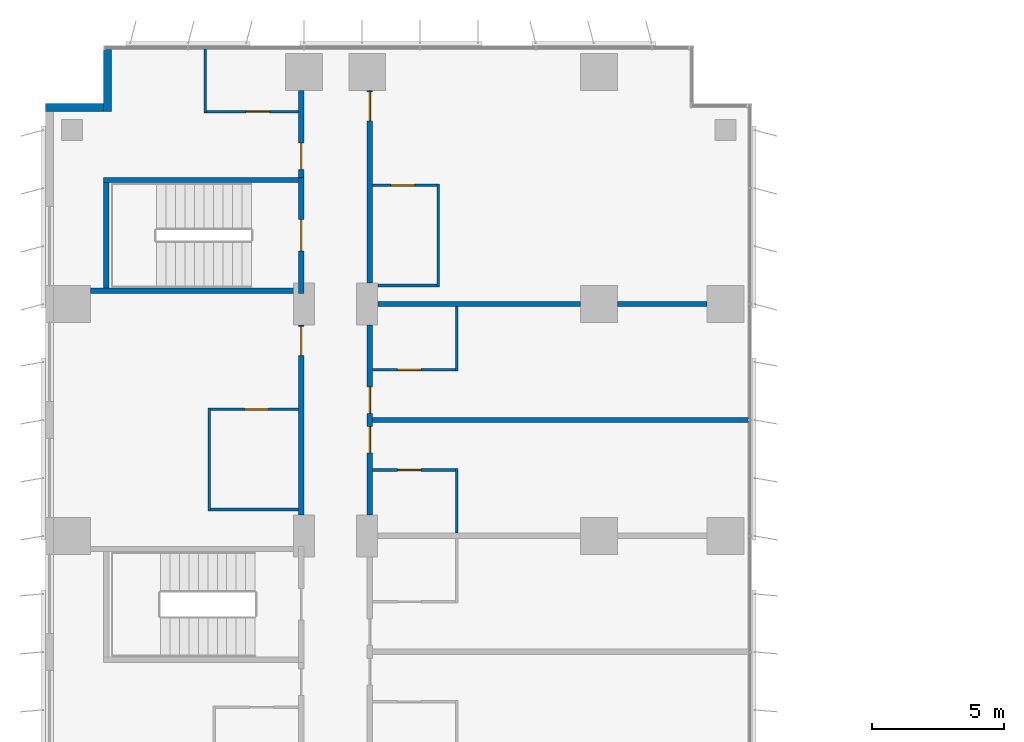
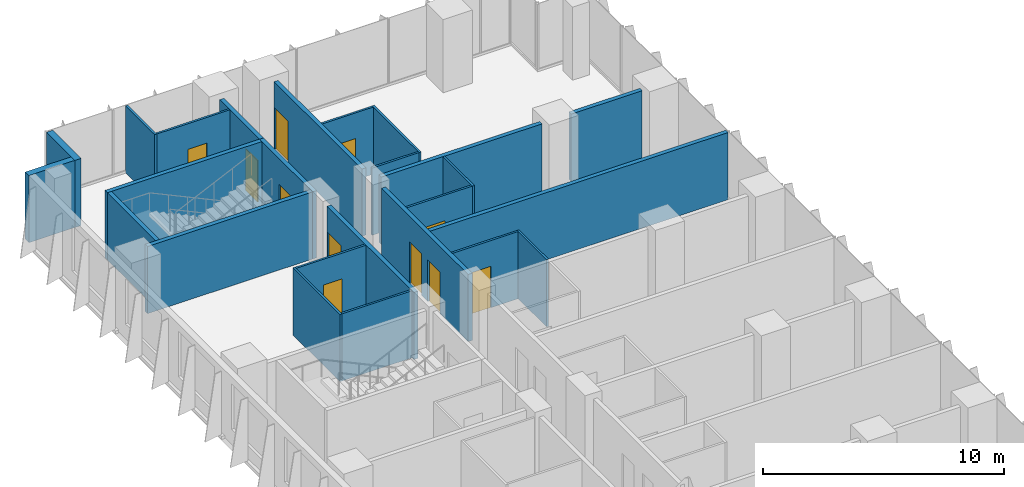
# One storey, part 19 of 24: 25 walls, 11 doors, 11 openings.
"""IFC4 building model written with IfcOpenShell, lengths in metres."""

from ifc_helpers import new_model, si_unit, direction, frame, frame_2d, origin, place, context, subcontext, project, spatial, rectangle, extrude, material, layer, layer_set, type_object, element, fill, save


model = new_model("IFC4")

# Units and contexts
model_context = context("Model", 3, precision=1e-05, world=origin(), true_north=direction((0.0, 1.0)))
body_context = subcontext(model_context, "Body", "Model", "MODEL_VIEW")
ifc_project = project(units=[si_unit("LENGTHUNIT", "METRE"), si_unit("AREAUNIT", "SQUARE_METRE"), si_unit("VOLUMEUNIT", "CUBIC_METRE"), si_unit("PLANEANGLEUNIT", "RADIAN"), si_unit("MASSUNIT", "GRAM", prefix="KILO")], contexts=[model_context])

# Site, building, storey
site_placement = place(None, origin())
site = spatial("IfcSite", under=ifc_project, at=site_placement, CompositionType="ELEMENT")
building_placement = place(site_placement, origin())
building = spatial("IfcBuilding", under=site, at=building_placement, Name="Kemantara Hotel Tower", CompositionType="ELEMENT")
storey_placement = place(building_placement, frame((0.0, 0.0, 59.89990234375)))
storey = spatial("IfcBuildingStorey", under=building, at=storey_placement, Name="L13", CompositionType="ELEMENT", Elevation=59.89990234375)

# Walls
ifc_material_1 = material(Name="Bronze anodised aluminium cladding on insulated steel stud wall", Category="steel")
ifc_layer_1 = layer(ifc_material_1, 0.300048828125)
ifc_layer_set_1 = layer_set([ifc_layer_1], Name="Bronze anodised aluminium cladding on insulated steel stud wall")
wall_type_1 = type_object("IfcWallType", Name="BRONZE METAL-CLAD EXTERNAL WALL 300", PredefinedType="STANDARD", material=ifc_layer_set_1)
wall_1_placement = place(storey_placement, frame((2.35009765625, 81.050048828125, 0.0), z_axis=(0.0, 0.0, 1.0), x_axis=(0.0, -1.0, 0.0)))
element("IfcWall", 1, at=wall_1_placement, inside=storey, type_object=wall_type_1, Name="EXTERNAL WALL L13 T1-R12", PredefinedType="STANDARD", context=body_context, shape_type="SweptSolid", body=[
    extrude(rectangle(XDim=2.35009765625, YDim=0.300048828125, at=frame_2d((1.175048828125, 0.0))), origin(), (0.0, 0.0, 1.0), 3.400146484375),
])
wall_2_placement = place(storey_placement, frame((2.199951171875, 78.85009765625, 0.0), z_axis=(0.0, 0.0, 1.0), x_axis=(-1.0, 0.0, 0.0)))
element("IfcWall", 2, at=wall_2_placement, inside=storey, type_object=wall_type_1, Name="EXTERNAL WALL L13 T1-R13", PredefinedType="STANDARD", context=body_context, shape_type="SweptSolid", body=[
    extrude(rectangle(XDim=2.199951171875, YDim=0.300048828125, at=frame_2d((1.10009765625, 0.0))), origin(), (0.0, 0.0, 1.0), 3.400146484375),
])

# Wall, opening, door
ifc_material_2 = material(Name="Gypsum board partition, steel studs and mineral wool, 200 mm", Category="steel")
ifc_layer_2 = layer(ifc_material_2, 0.199951171875)
ifc_layer_set_2 = layer_set([ifc_layer_2], Name="Gypsum board partition, steel studs and mineral wool, 200 mm")
wall_type_2 = type_object("IfcWallType", Name="CORRIDOR WALL 200", PredefinedType="PARTITIONING", material=ifc_layer_set_2)
wall_3_placement = place(storey_placement, frame((9.699951171875, 63.400146484375, 0.0), z_axis=(0.0, 0.0, 1.0), x_axis=(0.0, 1.0, 0.0)))
wall_3 = element("IfcWall", 3, at=wall_3_placement, inside=storey, type_object=wall_type_2, Name="CORRIDOR WALL 200 032", PredefinedType="PARTITIONING", context=body_context, shape_type="SweptSolid", body=[
    extrude(rectangle(XDim=7.19970703125, YDim=0.199951171875, at=frame_2d((3.599853515625, 0.0))), origin(), (0.0, 0.0, 1.0), 3.400146484375),
])
opening_1_placement = place(wall_3_placement, frame((6.0498046875, 0.0, 0.0)))
opening_1 = element("IfcOpeningElement", 4, at=opening_1_placement, cuts=wall_3, Name="Opening F04-045", PredefinedType="OPENING", context=body_context, shape_type="SweptSolid", body=[
    extrude(rectangle(XDim=1.10009765625, YDim=2.10009765625, at=frame_2d((0.550048828125, 1.050048828125))), frame((0.0, 0.10986328125, 0.0), z_axis=(0.0, -1.0, 0.0), x_axis=(1.0, 0.0, 0.0)), (0.0, 0.0, 1.0), 0.219970703125),
])
ifc_material_3 = material(Name="Hardwood veneer door leaf with steel frame", Category="steel")
door_type_1 = type_object("IfcDoorType", Name="SUITE ENTRANCE DOOR 1100 X 2100 FD30S", OperationType="NOTDEFINED", PredefinedType="DOOR", material=ifc_material_3)
door_1_placement = place(opening_1_placement, origin())
door_1 = element("IfcDoor", 5, at=door_1_placement, inside=storey, type_object=door_type_1, Name="SUITE ENTRANCE DOOR F04-045", OperationType="SINGLE_SWING_RIGHT", OverallHeight=2.10009765625, OverallWidth=1.10009765625, PredefinedType="DOOR", context=body_context, shape_type="SweptSolid", body=[
    extrude(rectangle(XDim=1.10009765625, YDim=2.10009765625, at=frame_2d((0.550048828125, 1.050048828125))), frame((0.0, 0.02490234375, 0.0), z_axis=(0.0, -1.0, 0.0), x_axis=(1.0, 0.0, 0.0)), (0.0, 0.0, 1.0), 0.050048828125),
])
fill(opening_1, door_1)

wall_4_placement = place(storey_placement, frame((9.699951171875, 76.199951171875, 0.0), z_axis=(0.0, 0.0, 1.0), x_axis=(0.0, 1.0, 0.0)))
wall_4 = element("IfcWall", 6, at=wall_4_placement, inside=storey, type_object=wall_type_2, Name="CORRIDOR WALL 200 033", PredefinedType="PARTITIONING", context=body_context, shape_type="SweptSolid", body=[
    extrude(rectangle(XDim=3.300048828125, YDim=0.199951171875, at=frame_2d((1.64990234375, 0.0))), origin(), (0.0, 0.0, 1.0), 3.400146484375),
])
opening_2_placement = place(wall_4_placement, frame((0.300048828125, 0.0, 0.0)))
opening_2 = element("IfcOpeningElement", 7, at=opening_2_placement, cuts=wall_4, Name="Opening F04-047", PredefinedType="OPENING", context=body_context, shape_type="SweptSolid", body=[
    extrude(rectangle(XDim=1.0, YDim=2.10009765625, at=frame_2d((0.5, 1.050048828125))), frame((0.0, 0.10986328125, 0.0), z_axis=(0.0, -1.0, 0.0), x_axis=(1.0, 0.0, 0.0)), (0.0, 0.0, 1.0), 0.219970703125),
])
door_type_2 = type_object("IfcDoorType", Name="GUEST ROOM DOOR 1000 X 2100 FD30S", OperationType="NOTDEFINED", PredefinedType="DOOR", material=ifc_material_3)
door_2_placement = place(opening_2_placement, origin())
door_2 = element("IfcDoor", 8, at=door_2_placement, inside=storey, type_object=door_type_2, Name="GUEST ROOM DOOR F04-047", OperationType="SINGLE_SWING_LEFT", OverallHeight=2.10009765625, OverallWidth=1.0, PredefinedType="DOOR", context=body_context, shape_type="SweptSolid", body=[
    extrude(rectangle(XDim=1.0, YDim=2.10009765625, at=frame_2d((0.5, 1.050048828125))), frame((0.0, 0.02490234375, 0.0), z_axis=(0.0, -1.0, 0.0), x_axis=(1.0, 0.0, 0.0)), (0.0, 0.0, 1.0), 0.050048828125),
])
fill(opening_2, door_2)

# Wall, openings, doors
wall_5_placement = place(storey_placement, frame((12.300048828125, 70.599853515625, 0.0), z_axis=(0.0, 0.0, 1.0), x_axis=(0.0, -1.0, 0.0)))
wall_5 = element("IfcWall", 9, at=wall_5_placement, inside=storey, type_object=wall_type_2, Name="CORRIDOR WALL 200 052", PredefinedType="PARTITIONING", context=body_context, shape_type="SweptSolid", body=[
    extrude(rectangle(XDim=7.19970703125, YDim=0.199951171875, at=frame_2d((3.599853515625, 0.0))), origin(), (0.0, 0.0, 1.0), 3.400146484375),
])
opening_3_placement = place(wall_5_placement, frame((3.849853515625, 0.0, 0.0)))
opening_3 = element("IfcOpeningElement", 10, at=opening_3_placement, cuts=wall_5, Name="Opening F04-065", PredefinedType="OPENING", context=body_context, shape_type="SweptSolid", body=[
    extrude(rectangle(XDim=1.0, YDim=2.10009765625, at=frame_2d((0.5, 1.050048828125))), frame((0.0, 0.10986328125, 0.0), z_axis=(0.0, -1.0, 0.0), x_axis=(1.0, 0.0, 0.0)), (0.0, 0.0, 1.0), 0.219970703125),
])
opening_4_placement = place(wall_5_placement, frame((2.349853515625, 0.0, 0.0)))
opening_4 = element("IfcOpeningElement", 11, at=opening_4_placement, cuts=wall_5, Name="Opening F04-067", PredefinedType="OPENING", context=body_context, shape_type="SweptSolid", body=[
    extrude(rectangle(XDim=1.0, YDim=2.10009765625, at=frame_2d((0.5, 1.050048828125))), frame((0.0, 0.10986328125, 0.0), z_axis=(0.0, -1.0, 0.0), x_axis=(1.0, 0.0, 0.0)), (0.0, 0.0, 1.0), 0.219970703125),
])
door_3_placement = place(opening_3_placement, origin())
door_3 = element("IfcDoor", 12, at=door_3_placement, inside=storey, type_object=door_type_2, Name="GUEST ROOM DOOR F04-065", OperationType="SINGLE_SWING_LEFT", OverallHeight=2.10009765625, OverallWidth=1.0, PredefinedType="DOOR", context=body_context, shape_type="SweptSolid", body=[
    extrude(rectangle(XDim=1.0, YDim=2.10009765625, at=frame_2d((0.5, 1.050048828125))), frame((0.0, 0.02490234375, 0.0), z_axis=(0.0, -1.0, 0.0), x_axis=(1.0, 0.0, 0.0)), (0.0, 0.0, 1.0), 0.050048828125),
])
fill(opening_3, door_3)
door_4_placement = place(opening_4_placement, origin())
door_4 = element("IfcDoor", 13, at=door_4_placement, inside=storey, type_object=door_type_2, Name="GUEST ROOM DOOR F04-067", OperationType="SINGLE_SWING_RIGHT", OverallHeight=2.10009765625, OverallWidth=1.0, PredefinedType="DOOR", context=body_context, shape_type="SweptSolid", body=[
    extrude(rectangle(XDim=1.0, YDim=2.10009765625, at=frame_2d((0.5, 1.050048828125))), frame((0.0, 0.02490234375, 0.0), z_axis=(0.0, -1.0, 0.0), x_axis=(1.0, 0.0, 0.0)), (0.0, 0.0, 1.0), 0.050048828125),
])
fill(opening_4, door_4)

# Wall, opening, door
wall_6_placement = place(storey_placement, frame((12.300048828125, 79.5, 0.0), z_axis=(0.0, 0.0, 1.0), x_axis=(0.0, -1.0, 0.0)))
wall_6 = element("IfcWall", 14, at=wall_6_placement, inside=storey, type_object=wall_type_2, Name="CORRIDOR WALL 200 053", PredefinedType="PARTITIONING", context=body_context, shape_type="SweptSolid", body=[
    extrude(rectangle(XDim=7.2998046875, YDim=0.199951171875, at=frame_2d((3.64990234375, 0.0))), origin(), (0.0, 0.0, 1.0), 3.400146484375),
])
opening_5_placement = place(wall_6_placement, frame((0.0498046875, 0.0, 0.0)))
opening_5 = element("IfcOpeningElement", 15, at=opening_5_placement, cuts=wall_6, Name="Opening F04-069", PredefinedType="OPENING", context=body_context, shape_type="SweptSolid", body=[
    extrude(rectangle(XDim=1.10009765625, YDim=2.10009765625, at=frame_2d((0.550048828125, 1.050048828125))), frame((0.0, 0.10986328125, 0.0), z_axis=(0.0, -1.0, 0.0), x_axis=(1.0, 0.0, 0.0)), (0.0, 0.0, 1.0), 0.219970703125),
])
door_5_placement = place(opening_5_placement, origin())
door_5 = element("IfcDoor", 16, at=door_5_placement, inside=storey, type_object=door_type_1, Name="SUITE ENTRANCE DOOR F04-069", OperationType="SINGLE_SWING_LEFT", OverallHeight=2.10009765625, OverallWidth=1.10009765625, PredefinedType="DOOR", context=body_context, shape_type="SweptSolid", body=[
    extrude(rectangle(XDim=1.10009765625, YDim=2.10009765625, at=frame_2d((0.550048828125, 1.050048828125))), frame((0.0, 0.02490234375, 0.0), z_axis=(0.0, -1.0, 0.0), x_axis=(1.0, 0.0, 0.0)), (0.0, 0.0, 1.0), 0.050048828125),
])
fill(opening_5, door_5)

ifc_material_4 = material(Name="Concrete fc 40 MPa", Category="concrete")
ifc_layer_3 = layer(ifc_material_4, 0.199951171875)
ifc_layer_set_3 = layer_set([ifc_layer_3], Name="Concrete fc 40 MPa")
wall_type_3 = type_object("IfcWallType", Name="Concrete stair wall 200 mm", PredefinedType="SHEAR", material=ifc_layer_set_3)
wall_7_placement = place(storey_placement, frame((9.699951171875, 71.800048828125, 0.0), z_axis=(0.0, 0.0, 1.0), x_axis=(0.0, 1.0, 0.0)))
wall_7 = element("IfcWall", 17, at=wall_7_placement, inside=storey, type_object=wall_type_3, Name="Stair ST6 enclosure wall with door", PredefinedType="SHEAR", context=body_context, shape_type="SweptSolid", body=[
    extrude(rectangle(XDim=4.39990234375, YDim=0.199951171875, at=frame_2d((2.199951171875, 0.0))), origin(), (0.0, 0.0, 1.0), 3.400146484375),
])
opening_6_placement = place(wall_7_placement, frame((1.60009765625, 0.0, 0.0)))
opening_6 = element("IfcOpeningElement", 18, at=opening_6_placement, cuts=wall_7, Name="Opening ST6-C", PredefinedType="OPENING", context=body_context, shape_type="SweptSolid", body=[
    extrude(rectangle(XDim=1.199951171875, YDim=2.10009765625, at=frame_2d((0.60009765625, 1.050048828125))), frame((0.0, 0.10986328125, 0.0), z_axis=(0.0, -1.0, 0.0), x_axis=(1.0, 0.0, 0.0)), (0.0, 0.0, 1.0), 0.219970703125),
])
ifc_material_5 = material(Name="Steel fire door", Category="steel")
door_type_3 = type_object("IfcDoorType", Name="Fire door FD90 1200 x 2100", OperationType="NOTDEFINED", PredefinedType="DOOR", material=ifc_material_5)
door_6_placement = place(opening_6_placement, origin())
door_6 = element("IfcDoor", 19, at=door_6_placement, inside=storey, type_object=door_type_3, Name="Stair ST6 door", OperationType="SINGLE_SWING_RIGHT", OverallHeight=2.10009765625, OverallWidth=1.199951171875, PredefinedType="DOOR", context=body_context, shape_type="SweptSolid", body=[
    extrude(rectangle(XDim=1.199951171875, YDim=2.10009765625, at=frame_2d((0.60009765625, 1.050048828125))), frame((0.0, 0.02490234375, 0.0), z_axis=(0.0, -1.0, 0.0), x_axis=(1.0, 0.0, 0.0)), (0.0, 0.0, 1.0), 0.050048828125),
])
fill(opening_6, door_6)

# Walls
wall_8_placement = place(storey_placement, frame((2.199951171875, 76.10009765625, 0.0), z_axis=(0.0, 0.0, 1.0), x_axis=(1.0, 0.0, 0.0)))
element("IfcWall", 20, at=wall_8_placement, inside=storey, type_object=wall_type_3, Name="Stair ST6 enclosure wall N", PredefinedType="SHEAR", context=body_context, shape_type="SweptSolid", body=[
    extrude(rectangle(XDim=7.400146484375, YDim=0.199951171875, at=frame_2d((3.7001953125, 0.0))), origin(), (0.0, 0.0, 1.0), 3.400146484375),
])
wall_9_placement = place(storey_placement, frame((1.699951171875, 71.89990234375, 0.0), z_axis=(0.0, 0.0, 1.0), x_axis=(1.0, 0.0, 0.0)))
element("IfcWall", 21, at=wall_9_placement, inside=storey, type_object=wall_type_3, Name="Stair ST6 enclosure wall S", PredefinedType="SHEAR", context=body_context, shape_type="SweptSolid", body=[
    extrude(rectangle(XDim=7.900146484375, YDim=0.199951171875, at=frame_2d((3.9501953125, 0.0))), origin(), (0.0, 0.0, 1.0), 3.400146484375),
])
wall_10_placement = place(storey_placement, frame((2.300048828125, 72.0, 0.0), z_axis=(0.0, 0.0, 1.0), x_axis=(0.0, 1.0, 0.0)))
element("IfcWall", 22, at=wall_10_placement, inside=storey, type_object=wall_type_3, Name="Stair ST6 enclosure wall W", PredefinedType="SHEAR", context=body_context, shape_type="SweptSolid", body=[
    extrude(rectangle(XDim=4.0, YDim=0.199951171875, at=frame_2d((2.0, 0.0))), origin(), (0.0, 0.0, 1.0), 3.400146484375),
])
ifc_layer_4 = layer(ifc_material_2, 0.199951171875)
ifc_layer_set_4 = layer_set([ifc_layer_4], Name="Gypsum board partition, steel studs and mineral wool, 200 mm")
wall_type_4 = type_object("IfcWallType", Name="GUEST ROOM PARTY WALL 200", PredefinedType="PARTITIONING", material=ifc_layer_set_4)
wall_11_placement = place(storey_placement, frame((12.39990234375, 67.0, 0.0), z_axis=(0.0, 0.0, 1.0), x_axis=(1.0, 0.0, 0.0)))
element("IfcWall", 23, at=wall_11_placement, inside=storey, type_object=wall_type_4, Name="GUEST ROOM PARTY WALL 200 062", PredefinedType="PARTITIONING", context=body_context, shape_type="SweptSolid", body=[
    extrude(rectangle(XDim=14.27001953125, YDim=0.199951171875, at=frame_2d((7.135009765625, 0.0))), origin(), (0.0, 0.0, 1.0), 3.400146484375),
])
wall_12_placement = place(storey_placement, frame((12.60009765625, 71.39990234375, 0.0), z_axis=(0.0, 0.0, 1.0), x_axis=(1.0, 0.0, 0.0)))
element("IfcWall", 24, at=wall_12_placement, inside=storey, type_object=wall_type_4, Name="GUEST ROOM PARTY WALL 200 063", PredefinedType="PARTITIONING", context=body_context, shape_type="SweptSolid", body=[
    extrude(rectangle(XDim=7.69970703125, YDim=0.199951171875, at=frame_2d((3.849853515625, 0.0))), origin(), (0.0, 0.0, 1.0), 3.400146484375),
])
wall_13_placement = place(storey_placement, frame((21.7001953125, 71.39990234375, 0.0), z_axis=(0.0, 0.0, 1.0), x_axis=(1.0, 0.0, 0.0)))
element("IfcWall", 25, at=wall_13_placement, inside=storey, type_object=wall_type_4, Name="GUEST ROOM PARTY WALL 200 064", PredefinedType="PARTITIONING", context=body_context, shape_type="SweptSolid", body=[
    extrude(rectangle(XDim=3.399658203125, YDim=0.199951171875, at=frame_2d((1.69970703125, 0.0))), origin(), (0.0, 0.0, 1.0), 3.400146484375),
])
ifc_material_6 = material(Name="Gypsum board partition on steel studs, 100 mm", Category="steel")
ifc_layer_5 = layer(ifc_material_6, 0.10009765625)
ifc_layer_set_5 = layer_set([ifc_layer_5], Name="Gypsum board partition on steel studs, 100 mm")
wall_type_5 = type_object("IfcWallType", Name="ROOM PARTITION 100", PredefinedType="PARTITIONING", material=ifc_layer_set_5)
wall_14_placement = place(storey_placement, frame((6.050048828125, 78.64990234375, 0.0), z_axis=(0.0, 0.0, 1.0), x_axis=(0.0, 1.0, 0.0)))
element("IfcWall", 26, at=wall_14_placement, inside=storey, type_object=wall_type_5, Name="ROOM PARTITION 100 095", PredefinedType="PARTITIONING", context=body_context, shape_type="SweptSolid", body=[
    extrude(rectangle(XDim=2.420166015625, YDim=0.10009765625, at=frame_2d((1.2099609375, 0.0))), origin(), (0.0, 0.0, 1.0), 3.400146484375),
])
wall_15_placement = place(storey_placement, frame((6.199951171875, 63.550048828125, 0.0), z_axis=(0.0, 0.0, 1.0), x_axis=(0.0, 1.0, 0.0)))
element("IfcWall", 27, at=wall_15_placement, inside=storey, type_object=wall_type_5, Name="ROOM PARTITION 100 104", PredefinedType="PARTITIONING", context=body_context, shape_type="SweptSolid", body=[
    extrude(rectangle(XDim=3.89990234375, YDim=0.10009765625, at=frame_2d((1.949951171875, 0.0))), origin(), (0.0, 0.0, 1.0), 3.400146484375),
])
wall_16_placement = place(storey_placement, frame((6.25, 63.60009765625, 0.0), z_axis=(0.0, 0.0, 1.0), x_axis=(1.0, 0.0, 0.0)))
element("IfcWall", 28, at=wall_16_placement, inside=storey, type_object=wall_type_5, Name="ROOM PARTITION 100 115", PredefinedType="PARTITIONING", context=body_context, shape_type="SweptSolid", body=[
    extrude(rectangle(XDim=3.35009765625, YDim=0.10009765625, at=frame_2d((1.675048828125, 0.0))), origin(), (0.0, 0.0, 1.0), 3.400146484375),
])

# Wall, opening, door
wall_17_placement = place(storey_placement, frame((9.60009765625, 67.39990234375, 0.0), z_axis=(0.0, 0.0, 1.0), x_axis=(-1.0, 0.0, 0.0)))
wall_17 = element("IfcWall", 29, at=wall_17_placement, inside=storey, type_object=wall_type_5, Name="ROOM PARTITION 100 116", PredefinedType="PARTITIONING", context=body_context, shape_type="SweptSolid", body=[
    extrude(rectangle(XDim=3.35009765625, YDim=0.10009765625, at=frame_2d((1.675048828125, 0.0))), origin(), (0.0, 0.0, 1.0), 3.400146484375),
])
opening_7_placement = place(wall_17_placement, frame((1.14990234375, 0.0, 0.0)))
opening_7 = element("IfcOpeningElement", 30, at=opening_7_placement, cuts=wall_17, Name="Opening F04-046", PredefinedType="OPENING", context=body_context, shape_type="SweptSolid", body=[
    extrude(rectangle(XDim=0.89990234375, YDim=2.10009765625, at=frame_2d((0.449951171875, 1.050048828125))), frame((0.0, 0.06005859375, 0.0), z_axis=(0.0, -1.0, 0.0), x_axis=(1.0, 0.0, 0.0)), (0.0, 0.0, 1.0), 0.1201171875),
])
door_type_4 = type_object("IfcDoorType", Name="BATHROOM DOOR 900 X 2100", OperationType="NOTDEFINED", PredefinedType="DOOR", material=ifc_material_3)
door_7_placement = place(opening_7_placement, origin())
door_7 = element("IfcDoor", 31, at=door_7_placement, inside=storey, type_object=door_type_4, Name="BATHROOM DOOR F04-046", OperationType="SINGLE_SWING_LEFT", OverallHeight=2.10009765625, OverallWidth=0.89990234375, PredefinedType="DOOR", context=body_context, shape_type="SweptSolid", body=[
    extrude(rectangle(XDim=0.89990234375, YDim=2.10009765625, at=frame_2d((0.449951171875, 1.050048828125))), frame((0.0, 0.02490234375, 0.0), z_axis=(0.0, -1.0, 0.0), x_axis=(1.0, 0.0, 0.0)), (0.0, 0.0, 1.0), 0.050048828125),
])
fill(opening_7, door_7)

wall_18_placement = place(storey_placement, frame((6.10009765625, 78.699951171875, 0.0), z_axis=(0.0, 0.0, 1.0), x_axis=(1.0, 0.0, 0.0)))
wall_18 = element("IfcWall", 32, at=wall_18_placement, inside=storey, type_object=wall_type_5, Name="ROOM PARTITION 100 117", PredefinedType="PARTITIONING", context=body_context, shape_type="SweptSolid", body=[
    extrude(rectangle(XDim=3.5, YDim=0.10009765625, at=frame_2d((1.75, 0.0))), origin(), (0.0, 0.0, 1.0), 3.400146484375),
])
opening_8_placement = place(wall_18_placement, frame((1.5, 0.0, 0.0)))
opening_8 = element("IfcOpeningElement", 33, at=opening_8_placement, cuts=wall_18, Name="Opening F04-048", PredefinedType="OPENING", context=body_context, shape_type="SweptSolid", body=[
    extrude(rectangle(XDim=0.89990234375, YDim=2.10009765625, at=frame_2d((0.449951171875, 1.050048828125))), frame((0.0, 0.06005859375, 0.0), z_axis=(0.0, -1.0, 0.0), x_axis=(1.0, 0.0, 0.0)), (0.0, 0.0, 1.0), 0.1201171875),
])
door_8_placement = place(opening_8_placement, origin())
door_8 = element("IfcDoor", 34, at=door_8_placement, inside=storey, type_object=door_type_4, Name="BATHROOM DOOR F04-048", OperationType="SINGLE_SWING_RIGHT", OverallHeight=2.10009765625, OverallWidth=0.89990234375, PredefinedType="DOOR", context=body_context, shape_type="SweptSolid", body=[
    extrude(rectangle(XDim=0.89990234375, YDim=2.10009765625, at=frame_2d((0.449951171875, 1.050048828125))), frame((0.0, 0.02490234375, 0.0), z_axis=(0.0, -1.0, 0.0), x_axis=(1.0, 0.0, 0.0)), (0.0, 0.0, 1.0), 0.050048828125),
])
fill(opening_8, door_8)

# Walls
for number, where, z_axis, x_axis, name in (
    (35, (15.60009765625, 62.699951171875, 0.0), (0.0, 0.0, 1.0), (0.0, 1.0, 0.0), "ROOM PARTITION 100 126"),
    (36, (15.60009765625, 68.85009765625, 0.0), (0.0, 0.0, 1.0), (0.0, 1.0, 0.0), "ROOM PARTITION 100 127"),
):
    element("IfcWall", number, at=place(storey_placement, frame(where, z_axis=z_axis, x_axis=x_axis)), inside=storey, type_object=wall_type_5, Name=name, PredefinedType="PARTITIONING", context=body_context, shape_type="SweptSolid", body=[
        extrude(rectangle(XDim=2.449951171875, YDim=0.10009765625, at=frame_2d((1.22509765625, 0.0))), origin(), (0.0, 0.0, 1.0), 3.400146484375),
    ])

# Wall, opening, door
wall_19_placement = place(storey_placement, frame((15.550048828125, 65.10009765625, 0.0), z_axis=(0.0, 0.0, 1.0), x_axis=(-1.0, 0.0, 0.0)))
wall_19 = element("IfcWall", 37, at=wall_19_placement, inside=storey, type_object=wall_type_5, Name="ROOM PARTITION 100 135", PredefinedType="PARTITIONING", context=body_context, shape_type="SweptSolid", body=[
    extrude(rectangle(XDim=3.150146484375, YDim=0.10009765625, at=frame_2d((1.5751953125, 0.0))), origin(), (0.0, 0.0, 1.0), 3.400146484375),
])
opening_9_placement = place(wall_19_placement, frame((1.300048828125, 0.0, 0.0)))
opening_9 = element("IfcOpeningElement", 38, at=opening_9_placement, cuts=wall_19, Name="Opening F04-066", PredefinedType="OPENING", context=body_context, shape_type="SweptSolid", body=[
    extrude(rectangle(XDim=0.89990234375, YDim=2.10009765625, at=frame_2d((0.449951171875, 1.050048828125))), frame((0.0, 0.06005859375, 0.0), z_axis=(0.0, -1.0, 0.0), x_axis=(1.0, 0.0, 0.0)), (0.0, 0.0, 1.0), 0.1201171875),
])
door_9_placement = place(opening_9_placement, origin())
door_9 = element("IfcDoor", 39, at=door_9_placement, inside=storey, type_object=door_type_4, Name="BATHROOM DOOR F04-066", OperationType="SINGLE_SWING_RIGHT", OverallHeight=2.10009765625, OverallWidth=0.89990234375, PredefinedType="DOOR", context=body_context, shape_type="SweptSolid", body=[
    extrude(rectangle(XDim=0.89990234375, YDim=2.10009765625, at=frame_2d((0.449951171875, 1.050048828125))), frame((0.0, 0.02490234375, 0.0), z_axis=(0.0, -1.0, 0.0), x_axis=(1.0, 0.0, 0.0)), (0.0, 0.0, 1.0), 0.050048828125),
])
fill(opening_9, door_9)

wall_20_placement = place(storey_placement, frame((12.39990234375, 68.89990234375, 0.0), z_axis=(0.0, 0.0, 1.0), x_axis=(1.0, 0.0, 0.0)))
wall_20 = element("IfcWall", 40, at=wall_20_placement, inside=storey, type_object=wall_type_5, Name="ROOM PARTITION 100 136", PredefinedType="PARTITIONING", context=body_context, shape_type="SweptSolid", body=[
    extrude(rectangle(XDim=3.150146484375, YDim=0.10009765625, at=frame_2d((1.5751953125, 0.0))), origin(), (0.0, 0.0, 1.0), 3.400146484375),
])
opening_10_placement = place(wall_20_placement, frame((0.949951171875, 0.0, 0.0)))
opening_10 = element("IfcOpeningElement", 41, at=opening_10_placement, cuts=wall_20, Name="Opening F04-068", PredefinedType="OPENING", context=body_context, shape_type="SweptSolid", body=[
    extrude(rectangle(XDim=0.89990234375, YDim=2.10009765625, at=frame_2d((0.449951171875, 1.050048828125))), frame((0.0, 0.06005859375, 0.0), z_axis=(0.0, -1.0, 0.0), x_axis=(1.0, 0.0, 0.0)), (0.0, 0.0, 1.0), 0.1201171875),
])
door_10_placement = place(opening_10_placement, origin())
door_10 = element("IfcDoor", 42, at=door_10_placement, inside=storey, type_object=door_type_4, Name="BATHROOM DOOR F04-068", OperationType="SINGLE_SWING_LEFT", OverallHeight=2.10009765625, OverallWidth=0.89990234375, PredefinedType="DOOR", context=body_context, shape_type="SweptSolid", body=[
    extrude(rectangle(XDim=0.89990234375, YDim=2.10009765625, at=frame_2d((0.449951171875, 1.050048828125))), frame((0.0, 0.02490234375, 0.0), z_axis=(0.0, -1.0, 0.0), x_axis=(1.0, 0.0, 0.0)), (0.0, 0.0, 1.0), 0.050048828125),
])
fill(opening_10, door_10)

# Walls
wall_21_placement = place(storey_placement, frame((14.89990234375, 72.050048828125, 0.0), z_axis=(0.0, 0.0, 1.0), x_axis=(0.0, 1.0, 0.0)))
element("IfcWall", 43, at=wall_21_placement, inside=storey, type_object=wall_type_5, Name="ROOM PARTITION 100 137", PredefinedType="PARTITIONING", context=body_context, shape_type="SweptSolid", body=[
    extrude(rectangle(XDim=3.89990234375, YDim=0.10009765625, at=frame_2d((1.949951171875, 0.0))), origin(), (0.0, 0.0, 1.0), 3.400146484375),
])
wall_22_placement = place(storey_placement, frame((12.60009765625, 72.10009765625, 0.0), z_axis=(0.0, 0.0, 1.0), x_axis=(1.0, 0.0, 0.0)))
element("IfcWall", 44, at=wall_22_placement, inside=storey, type_object=wall_type_5, Name="ROOM PARTITION 100 138", PredefinedType="PARTITIONING", context=body_context, shape_type="SweptSolid", body=[
    extrude(rectangle(XDim=2.25, YDim=0.10009765625, at=frame_2d((1.125, 0.0))), origin(), (0.0, 0.0, 1.0), 3.400146484375),
])

# Wall, opening, door
wall_23_placement = place(storey_placement, frame((14.85009765625, 75.89990234375, 0.0), z_axis=(0.0, 0.0, 1.0), x_axis=(-1.0, 0.0, 0.0)))
wall_23 = element("IfcWall", 45, at=wall_23_placement, inside=storey, type_object=wall_type_5, Name="ROOM PARTITION 100 139", PredefinedType="PARTITIONING", context=body_context, shape_type="SweptSolid", body=[
    extrude(rectangle(XDim=2.4501953125, YDim=0.10009765625, at=frame_2d((1.22509765625, 0.0))), origin(), (0.0, 0.0, 1.0), 3.400146484375),
])
opening_11_placement = place(wall_23_placement, frame((0.85009765625, 0.0, 0.0)))
opening_11 = element("IfcOpeningElement", 46, at=opening_11_placement, cuts=wall_23, Name="Opening F04-070", PredefinedType="OPENING", context=body_context, shape_type="SweptSolid", body=[
    extrude(rectangle(XDim=0.89990234375, YDim=2.10009765625, at=frame_2d((0.449951171875, 1.050048828125))), frame((0.0, 0.06005859375, 0.0), z_axis=(0.0, -1.0, 0.0), x_axis=(1.0, 0.0, 0.0)), (0.0, 0.0, 1.0), 0.1201171875),
])
door_11_placement = place(opening_11_placement, origin())
door_11 = element("IfcDoor", 47, at=door_11_placement, inside=storey, type_object=door_type_4, Name="BATHROOM DOOR F04-070", OperationType="SINGLE_SWING_RIGHT", OverallHeight=2.10009765625, OverallWidth=0.89990234375, PredefinedType="DOOR", context=body_context, shape_type="SweptSolid", body=[
    extrude(rectangle(XDim=0.89990234375, YDim=2.10009765625, at=frame_2d((0.449951171875, 1.050048828125))), frame((0.0, 0.02490234375, 0.0), z_axis=(0.0, -1.0, 0.0), x_axis=(1.0, 0.0, 0.0)), (0.0, 0.0, 1.0), 0.050048828125),
])
fill(opening_11, door_11)

save(model, "model.ifc")
